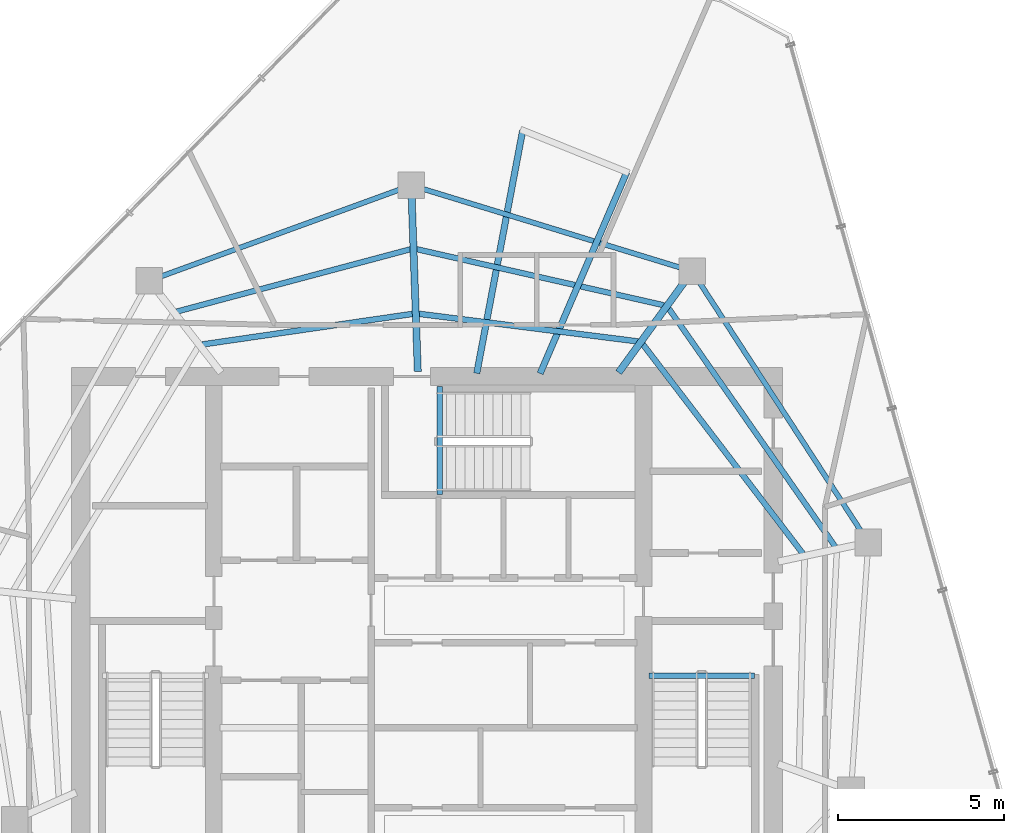
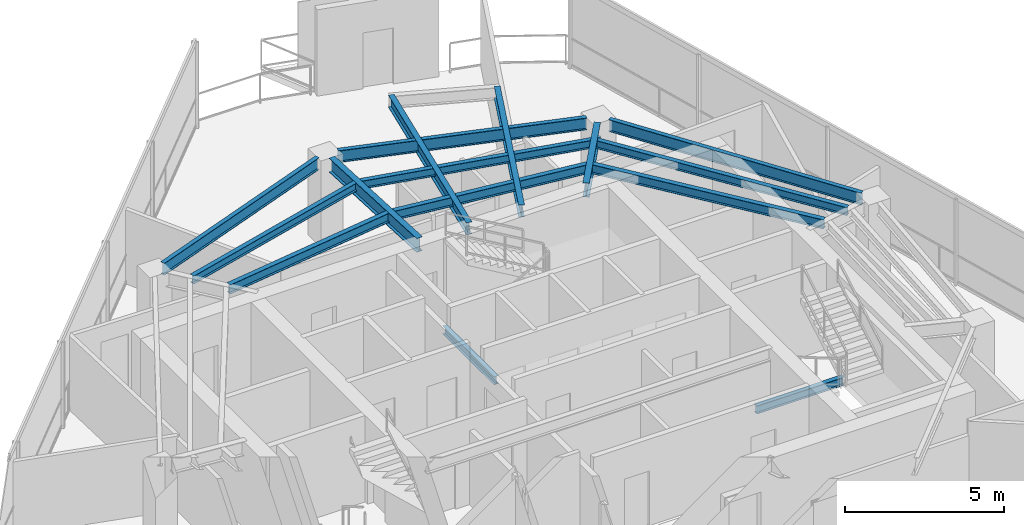
# One storey, part 9 of 18: 15 beams.
"""IFC4 building model written with IfcOpenShell, lengths in metres."""

from ifc_helpers import new_model, si_unit, direction, frame, origin, origin_2d, place, context, subcontext, project, spatial, i_section, extrude, material, material_profile, profile_set, type_object, element, save


model = new_model("IFC4")

# Units and contexts
model_context = context("Model", 3, precision=1e-05, world=origin(), true_north=direction((0.0, 1.0)))
body_context = subcontext(model_context, "Body", "Model", "MODEL_VIEW")
ifc_project = project(units=[si_unit("LENGTHUNIT", "METRE"), si_unit("AREAUNIT", "SQUARE_METRE"), si_unit("VOLUMEUNIT", "CUBIC_METRE"), si_unit("PLANEANGLEUNIT", "RADIAN"), si_unit("MASSUNIT", "GRAM", prefix="KILO")], contexts=[model_context])

# Site, building, storey
site_placement = place(None, origin())
site = spatial("IfcSite", under=ifc_project, at=site_placement, CompositionType="ELEMENT")
building_placement = place(site_placement, origin())
building = spatial("IfcBuilding", under=site, at=building_placement, Name="Qarnah Convention Tower", CompositionType="ELEMENT")
storey_placement = place(building_placement, frame((0.0, 0.0, 239.10009765625)))
storey = spatial("IfcBuildingStorey", under=building, at=storey_placement, Name="L64", CompositionType="ELEMENT", Elevation=239.10009765625)

# Beams
ifc_material = material(Name="Structural steel S355JR", Category="steel")
ifc_material_profile_1 = material_profile(ifc_material, i_section(OverallWidth=0.19189453125, OverallDepth=0.464111328125, WebThickness=0.010986328125, FlangeThickness=0.01806640625, at=origin_2d()), Name="W460X89")
ifc_profile_set_1 = profile_set([ifc_material_profile_1], Name="Structural steel S355JR")
beam_type_1 = type_object("IfcBeamType", Name="BM-CANT-W460A", PredefinedType="BEAM", material=ifc_profile_set_1)
beam_1_placement = place(storey_placement, frame((38.694091796875, 34.298095703125, 3.087890625), z_axis=(0.185836759901, 0.982580632146, 0.0), x_axis=(-0.982580632146, 0.185836759901, 0.0)))
element("IfcBeam", 1, at=beam_1_placement, inside=storey, type_object=beam_type_1, Name="L64 beam BM-L64-CNT-01-1", PredefinedType="BEAM", context=body_context, shape_type="SweptSolid", body=[
    extrude(i_section(OverallWidth=0.19189453125, OverallDepth=0.464111328125, WebThickness=0.010986328125, FlangeThickness=0.01806640625, at=origin_2d()), origin(), (0.0, 0.0, 1.0), 7.42529296875),
])
beam_2_placement = place(storey_placement, frame((40.596923828125, 34.2919921875, 3.087890625), z_axis=(0.395203303624, 0.918593679929, 0.0), x_axis=(-0.918593679929, 0.395203303624, 0.0)))
element("IfcBeam", 2, at=beam_2_placement, inside=storey, type_object=beam_type_1, Name="L64 beam BM-L64-CNT-01-2", PredefinedType="BEAM", context=body_context, shape_type="SweptSolid", body=[
    extrude(i_section(OverallWidth=0.19189453125, OverallDepth=0.464111328125, WebThickness=0.010986328125, FlangeThickness=0.01806640625, at=origin_2d()), origin(), (0.0, 0.0, 1.0), 6.583984375),
])
ifc_material_profile_2 = material_profile(ifc_material, i_section(OverallWidth=0.166015625, OverallDepth=0.31201171875, WebThickness=0.007080078125, FlangeThickness=0.010986328125, at=origin_2d()), Name="W310X45")
ifc_profile_set_2 = profile_set([ifc_material_profile_2], Name="Structural steel S355JR")
beam_type_2 = type_object("IfcBeamType", Name="BM-JST-W310", PredefinedType="JOIST", material=ifc_profile_set_2)
beam_3_placement = place(storey_placement, frame((43.860107421875, 25.217041015625, -0.156005859375), z_axis=(1.0, 0.0, 0.0), x_axis=(0.0, 1.0, 0.0)))
element("IfcBeam", 3, at=beam_3_placement, inside=storey, type_object=beam_type_2, Name="L64 stair landing trimmer beam BM-L64-ST2-TRM", PredefinedType="BEAM", context=body_context, shape_type="SweptSolid", body=[
    extrude(i_section(OverallWidth=0.166015625, OverallDepth=0.31201171875, WebThickness=0.007080078125, FlangeThickness=0.010986328125, at=origin_2d()), origin(), (0.0, 0.0, 1.0), 3.179931640625),
])
beam_4_placement = place(storey_placement, frame((37.5830078125, 30.659912109375, -0.156005859375), z_axis=(0.0, 1.0, 0.0), x_axis=(-1.0, 0.0, 0.0)))
element("IfcBeam", 4, at=beam_4_placement, inside=storey, type_object=beam_type_2, Name="L64 stair landing trimmer beam BM-L64-ST3-TRM", PredefinedType="BEAM", context=body_context, shape_type="SweptSolid", body=[
    extrude(i_section(OverallWidth=0.166015625, OverallDepth=0.31201171875, WebThickness=0.007080078125, FlangeThickness=0.010986328125, at=origin_2d()), origin(), (0.0, 0.0, 1.0), 3.239990234375),
])
beam_5_placement = place(storey_placement, frame((49.4599609375, 29.091064453125, 3.163818359375), z_axis=(-0.573009887427, 0.819548454279, 0.0), x_axis=(-0.819548454279, -0.573009887427, 0.0)))
element("IfcBeam", 5, at=beam_5_placement, inside=storey, type_object=beam_type_2, Name="L64 joist BM-L64-SJST-01", PredefinedType="JOIST", context=body_context, shape_type="SweptSolid", body=[
    extrude(i_section(OverallWidth=0.166015625, OverallDepth=0.31201171875, WebThickness=0.007080078125, FlangeThickness=0.010986328125, at=origin_2d()), origin(), (0.0, 0.0, 1.0), 8.729248046875),
])
beam_6_placement = place(storey_placement, frame((44.318115234375, 36.339111328125, 3.163818359375), z_axis=(-0.975196339646, 0.221341589269, 0.0), x_axis=(-0.221341589269, -0.975196339646, 0.0)))
element("IfcBeam", 6, at=beam_6_placement, inside=storey, type_object=beam_type_2, Name="L64 joist BM-L64-SJST-02", PredefinedType="JOIST", context=body_context, shape_type="SweptSolid", body=[
    extrude(i_section(OverallWidth=0.166015625, OverallDepth=0.31201171875, WebThickness=0.007080078125, FlangeThickness=0.010986328125, at=origin_2d()), origin(), (0.0, 0.0, 1.0), 7.626220703125),
])
beam_7_placement = place(storey_placement, frame((36.7060546875, 38.02392578125, 3.163818359375), z_axis=(-0.966190302214, -0.25782998256, 0.0), x_axis=(0.25782998256, -0.966190302214, 0.0)))
element("IfcBeam", 7, at=beam_7_placement, inside=storey, type_object=beam_type_2, Name="L64 joist BM-L64-SJST-03", PredefinedType="JOIST", context=body_context, shape_type="SweptSolid", body=[
    extrude(i_section(OverallWidth=0.166015625, OverallDepth=0.31201171875, WebThickness=0.007080078125, FlangeThickness=0.010986328125, at=origin_2d()), origin(), (0.0, 0.0, 1.0), 7.2646484375),
])
ifc_material_profile_3 = material_profile(ifc_material, i_section(OverallWidth=0.172119140625, OverallDepth=0.35595703125, WebThickness=0.007080078125, FlangeThickness=0.011962890625, at=origin_2d()), Name="W360X51")
ifc_profile_set_3 = profile_set([ifc_material_profile_3], Name="Structural steel S355JR")
beam_type_3 = type_object("IfcBeamType", Name="BM-JST-W360", PredefinedType="JOIST", material=ifc_profile_set_3)
beam_8_placement = place(storey_placement, frame((48.487060546875, 28.882080078125, 3.141845703125), z_axis=(-0.60729325576, 0.794477753942, 0.0), x_axis=(-0.794477753942, -0.60729325576, 0.0)))
element("IfcBeam", 8, at=beam_8_placement, inside=storey, type_object=beam_type_3, Name="L64 joist BM-L64-IJST-01", PredefinedType="JOIST", context=body_context, shape_type="SweptSolid", body=[
    extrude(i_section(OverallWidth=0.172119140625, OverallDepth=0.35595703125, WebThickness=0.007080078125, FlangeThickness=0.011962890625, at=origin_2d()), origin(), (0.0, 0.0, 1.0), 7.915771484375),
])
beam_9_placement = place(storey_placement, frame((43.535888671875, 35.25390625, 3.141845703125), z_axis=(-0.992148311533, 0.125066893787, 0.0), x_axis=(-0.125066893787, -0.992148311533, 0.0)))
element("IfcBeam", 9, at=beam_9_placement, inside=storey, type_object=beam_type_3, Name="L64 joist BM-L64-IJST-02", PredefinedType="JOIST", context=body_context, shape_type="SweptSolid", body=[
    extrude(i_section(OverallWidth=0.172119140625, OverallDepth=0.35595703125, WebThickness=0.007080078125, FlangeThickness=0.011962890625, at=origin_2d()), origin(), (0.0, 0.0, 1.0), 6.636962890625),
])
beam_10_placement = place(storey_placement, frame((36.77294921875, 36.08203125, 3.141845703125), z_axis=(-0.989593962144, -0.143888116565, 0.0), x_axis=(0.143888116565, -0.989593962144, 0.0)))
element("IfcBeam", 10, at=beam_10_placement, inside=storey, type_object=beam_type_3, Name="L64 joist BM-L64-IJST-03", PredefinedType="JOIST", context=body_context, shape_type="SweptSolid", body=[
    extrude(i_section(OverallWidth=0.172119140625, OverallDepth=0.35595703125, WebThickness=0.007080078125, FlangeThickness=0.011962890625, at=origin_2d()), origin(), (0.0, 0.0, 1.0), 6.386474609375),
])
ifc_material_profile_4 = material_profile(ifc_material, i_section(OverallWidth=0.2119140625, OverallDepth=0.5400390625, WebThickness=0.011962890625, FlangeThickness=0.01904296875, at=origin_2d()), Name="W530X109")
ifc_profile_set_4 = profile_set([ifc_material_profile_4], Name="Structural steel S355JR")
beam_type_4 = type_object("IfcBeamType", Name="BM-RAD-W530A", PredefinedType="BEAM", material=ifc_profile_set_4)
beam_11_placement = place(storey_placement, frame((42.955078125, 34.321044921875, 3.0498046875), z_axis=(0.587699029113, 0.809079632162, 0.0), x_axis=(-0.809079632162, 0.587699029113, 0.0)))
element("IfcBeam", 11, at=beam_11_placement, inside=storey, type_object=beam_type_4, Name="L64 beam BM-L64-RAD-02", PredefinedType="BEAM", context=body_context, shape_type="SweptSolid", body=[
    extrude(i_section(OverallWidth=0.2119140625, OverallDepth=0.5400390625, WebThickness=0.011962890625, FlangeThickness=0.01904296875, at=origin_2d()), origin(), (0.0, 0.0, 1.0), 3.37890625),
])
beam_12_placement = place(storey_placement, frame((36.923095703125, 34.35009765625, 3.0498046875), z_axis=(-0.035110435588, 0.999383438582, 0.0), x_axis=(-0.999383438582, -0.035110435588, 0.0)))
element("IfcBeam", 12, at=beam_12_placement, inside=storey, type_object=beam_type_4, Name="L64 beam BM-L64-RAD-03", PredefinedType="BEAM", context=body_context, shape_type="SweptSolid", body=[
    extrude(i_section(OverallWidth=0.2119140625, OverallDepth=0.5400390625, WebThickness=0.011962890625, FlangeThickness=0.01904296875, at=origin_2d()), origin(), (0.0, 0.0, 1.0), 5.215087890625),
])
ifc_material_profile_5 = material_profile(ifc_material, i_section(OverallWidth=0.154052734375, OverallDepth=0.4599609375, WebThickness=0.009033203125, FlangeThickness=0.014892578125, at=origin_2d()), Name="W460X68")
ifc_profile_set_5 = profile_set([ifc_material_profile_5], Name="Structural steel S355JR")
beam_type_5 = type_object("IfcBeamType", Name="BM-SPN-W460B", PredefinedType="SPANDREL", material=ifc_profile_set_5)
beam_13_placement = place(storey_placement, frame((50.241943359375, 29.5439453125, 3.08984375), z_axis=(-0.544739511184, 0.838605309401, 0.0), x_axis=(-0.838605309401, -0.544739511184, 0.0)))
element("IfcBeam", 13, at=beam_13_placement, inside=storey, type_object=beam_type_5, Name="L64 spandrel BM-L64-SPN-01", PredefinedType="SPANDREL", context=body_context, shape_type="SweptSolid", body=[
    extrude(i_section(OverallWidth=0.154052734375, OverallDepth=0.4599609375, WebThickness=0.009033203125, FlangeThickness=0.014892578125, at=origin_2d()), origin(), (0.0, 0.0, 1.0), 8.9326171875),
])
beam_14_placement = place(storey_placement, frame((44.791015625, 37.47607421875, 3.08984375), z_axis=(-0.95628886523, 0.292423675918, 0.0), x_axis=(-0.292423675918, -0.95628886523, 0.0)))
element("IfcBeam", 14, at=beam_14_placement, inside=storey, type_object=beam_type_5, Name="L64 spandrel BM-L64-SPN-02", PredefinedType="SPANDREL", context=body_context, shape_type="SweptSolid", body=[
    extrude(i_section(OverallWidth=0.154052734375, OverallDepth=0.4599609375, WebThickness=0.009033203125, FlangeThickness=0.014892578125, at=origin_2d()), origin(), (0.0, 0.0, 1.0), 8.04248046875),
])
beam_15_placement = place(storey_placement, frame((36.361083984375, 39.80908203125, 3.08984375), z_axis=(-0.939671356419, -0.342078561044, 0.0), x_axis=(0.342078561044, -0.939671356419, 0.0)))
element("IfcBeam", 15, at=beam_15_placement, inside=storey, type_object=beam_type_5, Name="L64 spandrel BM-L64-SPN-03", PredefinedType="SPANDREL", context=body_context, shape_type="SweptSolid", body=[
    extrude(i_section(OverallWidth=0.154052734375, OverallDepth=0.4599609375, WebThickness=0.009033203125, FlangeThickness=0.014892578125, at=origin_2d()), origin(), (0.0, 0.0, 1.0), 7.59521484375),
])

save(model, "model.ifc")
